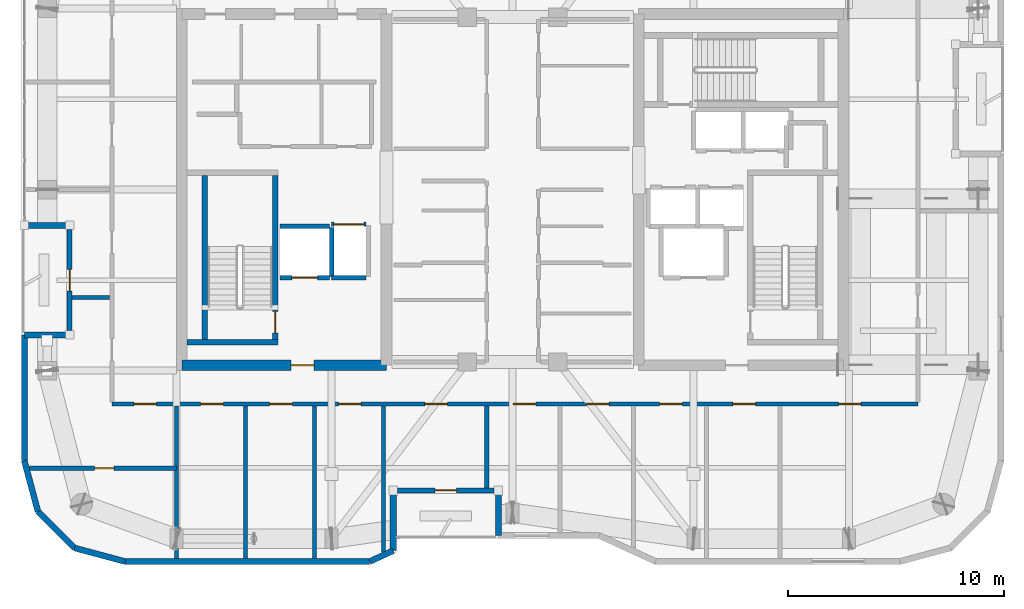
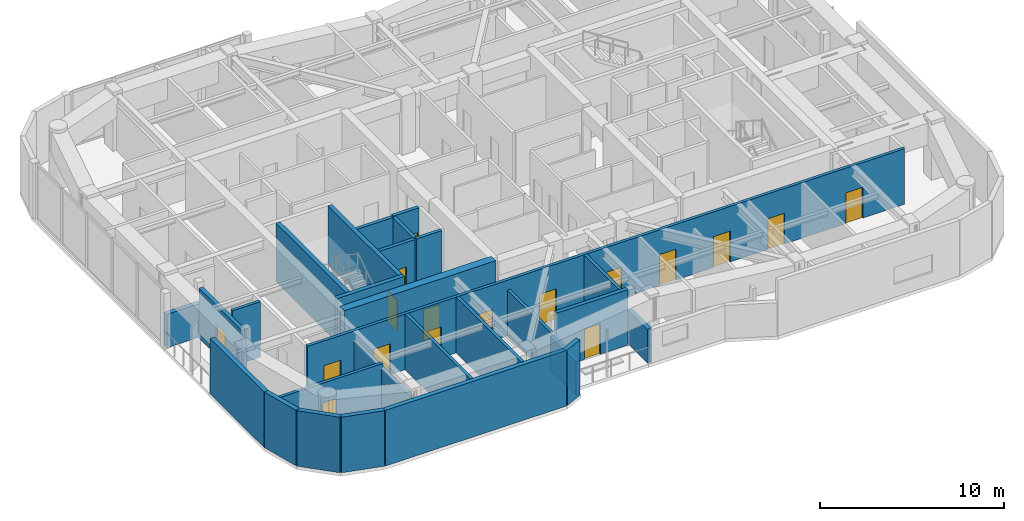
# One storey, part 10 of 16: 29 walls, 17 doors, 17 openings.
"""IFC4 building model written with IfcOpenShell, lengths in metres."""

from ifc_helpers import new_model, si_unit, direction, frame, frame_2d, origin, place, context, subcontext, project, spatial, rectangle, extrude, material, layer, layer_set, type_object, element, fill, save


model = new_model("IFC4")

# Units and contexts
model_context = context("Model", 3, precision=1e-05, world=origin(), true_north=direction((0.0, 1.0)))
body_context = subcontext(model_context, "Body", "Model", "MODEL_VIEW")
ifc_project = project(units=[si_unit("LENGTHUNIT", "METRE"), si_unit("AREAUNIT", "SQUARE_METRE"), si_unit("VOLUMEUNIT", "CUBIC_METRE"), si_unit("PLANEANGLEUNIT", "RADIAN"), si_unit("MASSUNIT", "GRAM", prefix="KILO")], contexts=[model_context])

# Site, building, storey
site_placement = place(None, origin())
site = spatial("IfcSite", under=ifc_project, at=site_placement, CompositionType="ELEMENT")
building_placement = place(site_placement, origin())
building = spatial("IfcBuilding", under=site, at=building_placement, Name="Kiyonajd Concourse Tower", CompositionType="ELEMENT")
storey_placement = place(building_placement, frame((0.0, 0.0, 346.5)))
storey = spatial("IfcBuildingStorey", under=building, at=storey_placement, Name="L87", CompositionType="ELEMENT", Elevation=346.5)

# Wall, opening, door
ifc_material_1 = material(Name="Concrete C60/75", Category="concrete")
ifc_layer_1 = layer(ifc_material_1, 0.5)
ifc_layer_set_1 = layer_set([ifc_layer_1], Name="Concrete C60/75")
wall_type_1 = type_object("IfcWallType", Name="WL-CORE-500", PredefinedType="SHEAR", material=ifc_layer_set_1)
wall_1_placement = place(storey_placement, frame((32.64990234375, 27.85009765625, 0.0), z_axis=(0.0, 0.0, 1.0), x_axis=(1.0, 0.0, 0.0)))
wall_1 = element("IfcWall", 1, at=wall_1_placement, inside=storey, type_object=wall_type_1, Name="L87 West Core South Shear Wall", PredefinedType="SHEAR", context=body_context, shape_type="SweptSolid", body=[
    extrude(rectangle(XDim=9.5, YDim=0.5, at=frame_2d((4.75, 0.0))), origin(), (0.0, 0.0, 1.0), 3.89990234375),
])
opening_1_placement = place(wall_1_placement, frame((5.074951171875, 0.0, 0.0)))
opening_1 = element("IfcOpeningElement", 2, at=opening_1_placement, cuts=wall_1, Name="Opening DF5", PredefinedType="OPENING", context=body_context, shape_type="SweptSolid", body=[
    extrude(rectangle(XDim=1.050048828125, YDim=2.0400390625, at=frame_2d((0.52490234375, 1.02001953125))), frame((0.0, 0.260009765625, 0.0), z_axis=(0.0, -1.0, 0.0), x_axis=(1.0, 0.0, 0.0)), (0.0, 0.0, 1.0), 0.52001953125),
])
ifc_material_2 = material(Name="Brushed Stainless Steel Cab Assembly", Category="steel")
door_type_1 = type_object("IfcDoorType", Name="DR-FD45-1050", OperationType="NOTDEFINED", PredefinedType="DOOR", material=ifc_material_2)
door_1_placement = place(opening_1_placement, origin())
door_1 = element("IfcDoor", 3, at=door_1_placement, inside=storey, type_object=door_type_1, Name="L87 Firefighting Lift Lobby W Smoke Door", OperationType="SINGLE_SWING_LEFT", OverallHeight=2.0400390625, OverallWidth=1.050048828125, PredefinedType="DOOR", context=body_context, shape_type="SweptSolid", body=[
    extrude(rectangle(XDim=1.050048828125, YDim=2.0400390625, at=frame_2d((0.52490234375, 1.02001953125))), frame((0.0, 0.02490234375, 0.0), z_axis=(0.0, -1.0, 0.0), x_axis=(1.0, 0.0, 0.0)), (0.0, 0.0, 1.0), 0.050048828125),
])
fill(opening_1, door_1)

# Walls
ifc_material_3 = material(Name="Precast concrete C50/60", Category="concrete")
ifc_layer_2 = layer(ifc_material_3, 0.280029296875)
ifc_layer_set_2 = layer_set([ifc_layer_2], Name="Precast concrete C50/60")
wall_type_2 = type_object("IfcWallType", Name="WL-EXT-280", PredefinedType="SOLIDWALL", material=ifc_layer_set_2)
wall_2_placement = place(storey_placement, frame((25.968505859375, 21.072509765625, 0.0), z_axis=(0.0, 0.0, 1.0), x_axis=(-0.258751159445, 0.965944013639, 0.0)))
element("IfcWall", 4, at=wall_2_placement, inside=storey, type_object=wall_type_2, Name="L87 Exterior Concrete Frame Wall 00", PredefinedType="SOLIDWALL", context=body_context, shape_type="SweptSolid", body=[
    extrude(rectangle(XDim=2.4287109375, YDim=0.280029296875, at=frame_2d((1.21435546875, 0.0))), origin(), (0.0, 0.0, 1.0), 3.679931640625),
])
wall_3_placement = place(storey_placement, frame((25.340087890625, 23.41845703125, 0.0), z_axis=(0.0, 0.0, 1.0), x_axis=(0.0, 1.0, 0.0)))
element("IfcWall", 5, at=wall_3_placement, inside=storey, type_object=wall_type_2, Name="L87 Exterior Concrete Frame Wall 01", PredefinedType="SOLIDWALL", context=body_context, shape_type="SweptSolid", body=[
    extrude(rectangle(XDim=5.841552734375, YDim=0.280029296875, at=frame_2d((2.9208984375, 0.0))), origin(), (0.0, 0.0, 1.0), 3.679931640625),
])
for number, where, z_axis, x_axis, name in (
    (6, (25.340087890625, 29.260009765625, 0.0), (0.0, 0.0, 1.0), (1.0, 0.0, 0.0), "L87 Exterior Concrete Frame Wall 02"),
    (7, (27.43994140625, 34.340087890625, 0.0), (0.0, 0.0, 1.0), (-1.0, 0.0, 0.0), "L87 Exterior Concrete Frame Wall 04"),
):
    element("IfcWall", number, at=place(storey_placement, frame(where, z_axis=z_axis, x_axis=x_axis)), inside=storey, type_object=wall_type_2, Name=name, PredefinedType="SOLIDWALL", context=body_context, shape_type="SweptSolid", body=[
        extrude(rectangle(XDim=2.099853515625, YDim=0.280029296875, at=frame_2d((1.0498046875, 0.0))), origin(), (0.0, 0.0, 1.0), 2.215087890625),
    ])
wall_4_placement = place(storey_placement, frame((47.340087890625, 19.93994140625, 0.0), z_axis=(0.0, 0.0, 1.0), x_axis=(0.0, 1.0, 0.0)))
element("IfcWall", 8, at=wall_4_placement, inside=storey, type_object=wall_type_2, Name="L87 Exterior Concrete Frame Wall 31", PredefinedType="SOLIDWALL", context=body_context, shape_type="SweptSolid", body=[
    extrude(rectangle(XDim=2.10009765625, YDim=0.280029296875, at=frame_2d((1.050048828125, 0.0))), origin(), (0.0, 0.0, 1.0), 2.215087890625),
])
wall_5_placement = place(storey_placement, frame((42.4599609375, 22.0400390625, 0.0), z_axis=(0.0, 0.0, 1.0), x_axis=(0.0, -1.0, 0.0)))
element("IfcWall", 9, at=wall_5_placement, inside=storey, type_object=wall_type_2, Name="L87 Exterior Concrete Frame Wall 33", PredefinedType="SOLIDWALL", context=body_context, shape_type="SweptSolid", body=[
    extrude(rectangle(XDim=2.79638671875, YDim=0.280029296875, at=frame_2d((1.398193359375, 0.0))), origin(), (0.0, 0.0, 1.0), 2.215087890625),
])
wall_6_placement = place(storey_placement, frame((42.4599609375, 19.24365234375, 0.0), z_axis=(0.0, 0.0, 1.0), x_axis=(-0.907893953211, -0.419199916176, 0.0)))
element("IfcWall", 10, at=wall_6_placement, inside=storey, type_object=wall_type_2, Name="L87 Exterior Concrete Frame Wall 34", PredefinedType="SOLIDWALL", context=body_context, shape_type="SweptSolid", body=[
    extrude(rectangle(XDim=1.201416015625, YDim=0.280029296875, at=frame_2d((0.6005859375, 0.0))), origin(), (0.0, 0.0, 1.0), 3.679931640625),
])
wall_7_placement = place(storey_placement, frame((41.369140625, 18.739990234375, 0.0), z_axis=(0.0, 0.0, 1.0), x_axis=(-1.0, 0.0, 0.0)))
element("IfcWall", 11, at=wall_7_placement, inside=storey, type_object=wall_type_2, Name="L87 Exterior Concrete Frame Wall 35", PredefinedType="SOLIDWALL", context=body_context, shape_type="SweptSolid", body=[
    extrude(rectangle(XDim=11.350830078125, YDim=0.280029296875, at=frame_2d((5.67529296875, 0.0))), origin(), (0.0, 0.0, 1.0), 3.679931640625),
])
wall_8_placement = place(storey_placement, frame((30.018310546875, 18.739990234375, 0.0), z_axis=(0.0, 0.0, 1.0), x_axis=(-0.965937282298, 0.25877628691, 0.0)))
element("IfcWall", 12, at=wall_8_placement, inside=storey, type_object=wall_type_2, Name="L87 Exterior Concrete Frame Wall 36", PredefinedType="SOLIDWALL", context=body_context, shape_type="SweptSolid", body=[
    extrude(rectangle(XDim=2.428466796875, YDim=0.280029296875, at=frame_2d((1.21435546875, 0.0))), origin(), (0.0, 0.0, 1.0), 3.679931640625),
])
wall_9_placement = place(storey_placement, frame((27.672607421875, 19.368408203125, 0.0), z_axis=(0.0, 0.0, 1.0), x_axis=(-0.707106781187, 0.707106781187, 0.0)))
element("IfcWall", 13, at=wall_9_placement, inside=storey, type_object=wall_type_2, Name="L87 Exterior Concrete Frame Wall 37", PredefinedType="SOLIDWALL", context=body_context, shape_type="SweptSolid", body=[
    extrude(rectangle(XDim=2.409912109375, YDim=0.280029296875, at=frame_2d((1.205078125, 0.0))), origin(), (0.0, 0.0, 1.0), 3.679931640625),
])

# Wall, opening, door
ifc_layer_3 = layer(ifc_material_3, 0.239990234375)
ifc_layer_set_3 = layer_set([ifc_layer_3], Name="Precast concrete C50/60")
wall_type_3 = type_object("IfcWallType", Name="WL-LOG-240", PredefinedType="SOLIDWALL", material=ifc_layer_set_3)
wall_10_placement = place(storey_placement, frame((27.43994140625, 29.455078125, 0.0), z_axis=(0.0, 0.0, 1.0), x_axis=(0.0, 1.0, 0.0)))
wall_10 = element("IfcWall", 14, at=wall_10_placement, inside=storey, type_object=wall_type_3, Name="L87 Recessed Loggia Thermal Wall LOG-W", PredefinedType="SOLIDWALL", context=body_context, shape_type="SweptSolid", body=[
    extrude(rectangle(XDim=4.68994140625, YDim=0.239990234375, at=frame_2d((2.344970703125, 0.0))), origin(), (0.0, 0.0, 1.0), 3.31103515625),
])
opening_2_placement = place(wall_10_placement, frame((1.844970703125, 0.0, 0.0)))
opening_2 = element("IfcOpeningElement", 15, at=opening_2_placement, cuts=wall_10, Name="Opening DL1", PredefinedType="OPENING", context=body_context, shape_type="SweptSolid", body=[
    extrude(rectangle(XDim=1.0, YDim=2.02001953125, at=frame_2d((0.5, 1.010009765625))), frame((0.0, 0.1298828125, 0.0), z_axis=(0.0, -1.0, 0.0), x_axis=(1.0, 0.0, 0.0)), (0.0, 0.0, 1.0), 0.260009765625),
])
ifc_material_4 = material(Name="Thermally Broken Anodised Aluminium", Category="aluminium")
door_type_2 = type_object("IfcDoorType", Name="DR-LOG-1000", OperationType="NOTDEFINED", PredefinedType="DOOR", material=ifc_material_4)
door_2_placement = place(opening_2_placement, origin())
door_2 = element("IfcDoor", 16, at=door_2_placement, inside=storey, type_object=door_type_2, Name="L87 Engawa Loggia Access Door LOG-W", OperationType="SINGLE_SWING_LEFT", OverallHeight=2.02001953125, OverallWidth=1.0, PredefinedType="DOOR", context=body_context, shape_type="SweptSolid", body=[
    extrude(rectangle(XDim=1.0, YDim=2.02001953125, at=frame_2d((0.5, 1.010009765625))), frame((0.0, 0.02490234375, 0.0), z_axis=(0.0, -1.0, 0.0), x_axis=(1.0, 0.0, 0.0)), (0.0, 0.0, 1.0), 0.050048828125),
])
fill(opening_2, door_2)

wall_11_placement = place(storey_placement, frame((47.14501953125, 22.0400390625, 0.0), z_axis=(0.0, 0.0, 1.0), x_axis=(-1.0, 0.0, 0.0)))
wall_11 = element("IfcWall", 17, at=wall_11_placement, inside=storey, type_object=wall_type_3, Name="L87 Recessed Loggia Thermal Wall LOG-S", PredefinedType="SOLIDWALL", context=body_context, shape_type="SweptSolid", body=[
    extrude(rectangle(XDim=4.489990234375, YDim=0.239990234375, at=frame_2d((2.2451171875, 0.0))), origin(), (0.0, 0.0, 1.0), 3.679931640625),
])
opening_3_placement = place(wall_11_placement, frame((1.7451171875, 0.0, 0.0)))
opening_3 = element("IfcOpeningElement", 18, at=opening_3_placement, cuts=wall_11, Name="Opening DL1", PredefinedType="OPENING", context=body_context, shape_type="SweptSolid", body=[
    extrude(rectangle(XDim=1.0, YDim=2.02001953125, at=frame_2d((0.5, 1.010009765625))), frame((0.0, 0.1298828125, 0.0), z_axis=(0.0, -1.0, 0.0), x_axis=(1.0, 0.0, 0.0)), (0.0, 0.0, 1.0), 0.260009765625),
])
door_3_placement = place(opening_3_placement, origin())
door_3 = element("IfcDoor", 19, at=door_3_placement, inside=storey, type_object=door_type_2, Name="L87 Engawa Loggia Access Door LOG-S", OperationType="SINGLE_SWING_RIGHT", OverallHeight=2.02001953125, OverallWidth=1.0, PredefinedType="DOOR", context=body_context, shape_type="SweptSolid", body=[
    extrude(rectangle(XDim=1.0, YDim=2.02001953125, at=frame_2d((0.5, 1.010009765625))), frame((0.0, 0.02490234375, 0.0), z_axis=(0.0, -1.0, 0.0), x_axis=(1.0, 0.0, 0.0)), (0.0, 0.0, 1.0), 0.050048828125),
])
fill(opening_3, door_3)

# Wall, openings, doors
ifc_material_5 = material(Name="Gypsum Board on Cold-Formed Steel Stud", Category="steel")
ifc_layer_4 = layer(ifc_material_5, 0.18994140625)
ifc_layer_set_4 = layer_set([ifc_layer_4], Name="Gypsum Board on Cold-Formed Steel Stud")
wall_type_4 = type_object("IfcWallType", Name="WL-PLMB-190", PredefinedType="PLUMBINGWALL", material=ifc_layer_set_4)
wall_12_placement = place(storey_placement, frame((29.39990234375, 26.050048828125, 0.0), z_axis=(0.0, 0.0, 1.0), x_axis=(1.0, 0.0, 0.0)))
wall_12 = element("IfcWall", 20, at=wall_12_placement, inside=storey, type_object=wall_type_4, Name="L87 Interior Partition Wall", PredefinedType="PLUMBINGWALL", context=body_context, shape_type="SweptSolid", body=[
    extrude(rectangle(XDim=37.400146484375, YDim=0.18994140625, at=frame_2d((18.7001953125, 0.0))), origin(), (0.0, 0.0, 1.0), 3.679931640625),
])
opening_4_placement = place(wall_12_placement, frame((1.02490234375, 0.0, 0.0)))
opening_4 = element("IfcOpeningElement", 21, at=opening_4_placement, cuts=wall_12, Name="Opening DF5", PredefinedType="OPENING", context=body_context, shape_type="SweptSolid", body=[
    extrude(rectangle(XDim=1.050048828125, YDim=2.0400390625, at=frame_2d((0.52490234375, 1.02001953125))), frame((0.0, 0.10498046875, 0.0), z_axis=(0.0, -1.0, 0.0), x_axis=(1.0, 0.0, 0.0)), (0.0, 0.0, 1.0), 0.2099609375),
])
opening_5_placement = place(wall_12_placement, frame((4.125, 0.0, 0.0)))
opening_5 = element("IfcOpeningElement", 22, at=opening_5_placement, cuts=wall_12, Name="Opening DF5", PredefinedType="OPENING", context=body_context, shape_type="SweptSolid", body=[
    extrude(rectangle(XDim=1.050048828125, YDim=2.0400390625, at=frame_2d((0.52490234375, 1.02001953125))), frame((0.0, 0.10498046875, 0.0), z_axis=(0.0, -1.0, 0.0), x_axis=(1.0, 0.0, 0.0)), (0.0, 0.0, 1.0), 0.2099609375),
])
opening_6_placement = place(wall_12_placement, frame((7.324951171875, 0.0, 0.0)))
opening_6 = element("IfcOpeningElement", 23, at=opening_6_placement, cuts=wall_12, Name="Opening DF5", PredefinedType="OPENING", context=body_context, shape_type="SweptSolid", body=[
    extrude(rectangle(XDim=1.050048828125, YDim=2.0400390625, at=frame_2d((0.52490234375, 1.02001953125))), frame((0.0, 0.10498046875, 0.0), z_axis=(0.0, -1.0, 0.0), x_axis=(1.0, 0.0, 0.0)), (0.0, 0.0, 1.0), 0.2099609375),
])
opening_7_placement = place(wall_12_placement, frame((10.52490234375, 0.0, 0.0)))
opening_7 = element("IfcOpeningElement", 24, at=opening_7_placement, cuts=wall_12, Name="Opening DF5", PredefinedType="OPENING", context=body_context, shape_type="SweptSolid", body=[
    extrude(rectangle(XDim=1.050048828125, YDim=2.0400390625, at=frame_2d((0.52490234375, 1.02001953125))), frame((0.0, 0.10498046875, 0.0), z_axis=(0.0, -1.0, 0.0), x_axis=(1.0, 0.0, 0.0)), (0.0, 0.0, 1.0), 0.2099609375),
])
opening_8_placement = place(wall_12_placement, frame((14.52490234375, 0.0, 0.0)))
opening_8 = element("IfcOpeningElement", 25, at=opening_8_placement, cuts=wall_12, Name="Opening DF5", PredefinedType="OPENING", context=body_context, shape_type="SweptSolid", body=[
    extrude(rectangle(XDim=1.050048828125, YDim=2.0400390625, at=frame_2d((0.52490234375, 1.02001953125))), frame((0.0, 0.10498046875, 0.0), z_axis=(0.0, -1.0, 0.0), x_axis=(1.0, 0.0, 0.0)), (0.0, 0.0, 1.0), 0.2099609375),
])
opening_9_placement = place(wall_12_placement, frame((18.625, 0.0, 0.0)))
opening_9 = element("IfcOpeningElement", 26, at=opening_9_placement, cuts=wall_12, Name="Opening DF5", PredefinedType="OPENING", context=body_context, shape_type="SweptSolid", body=[
    extrude(rectangle(XDim=1.050048828125, YDim=2.0400390625, at=frame_2d((0.52490234375, 1.02001953125))), frame((0.0, 0.10498046875, 0.0), z_axis=(0.0, -1.0, 0.0), x_axis=(1.0, 0.0, 0.0)), (0.0, 0.0, 1.0), 0.2099609375),
])
opening_10_placement = place(wall_12_placement, frame((22.02490234375, 0.0, 0.0)))
opening_10 = element("IfcOpeningElement", 27, at=opening_10_placement, cuts=wall_12, Name="Opening DF5", PredefinedType="OPENING", context=body_context, shape_type="SweptSolid", body=[
    extrude(rectangle(XDim=1.050048828125, YDim=2.0400390625, at=frame_2d((0.52490234375, 1.02001953125))), frame((0.0, 0.10498046875, 0.0), z_axis=(0.0, -1.0, 0.0), x_axis=(1.0, 0.0, 0.0)), (0.0, 0.0, 1.0), 0.2099609375),
])
opening_11_placement = place(wall_12_placement, frame((25.425048828125, 0.0, 0.0)))
opening_11 = element("IfcOpeningElement", 28, at=opening_11_placement, cuts=wall_12, Name="Opening DF5", PredefinedType="OPENING", context=body_context, shape_type="SweptSolid", body=[
    extrude(rectangle(XDim=1.050048828125, YDim=2.0400390625, at=frame_2d((0.52490234375, 1.02001953125))), frame((0.0, 0.10498046875, 0.0), z_axis=(0.0, -1.0, 0.0), x_axis=(1.0, 0.0, 0.0)), (0.0, 0.0, 1.0), 0.2099609375),
])
opening_12_placement = place(wall_12_placement, frame((28.824951171875, 0.0, 0.0)))
opening_12 = element("IfcOpeningElement", 29, at=opening_12_placement, cuts=wall_12, Name="Opening DF5", PredefinedType="OPENING", context=body_context, shape_type="SweptSolid", body=[
    extrude(rectangle(XDim=1.050048828125, YDim=2.0400390625, at=frame_2d((0.52490234375, 1.02001953125))), frame((0.0, 0.10498046875, 0.0), z_axis=(0.0, -1.0, 0.0), x_axis=(1.0, 0.0, 0.0)), (0.0, 0.0, 1.0), 0.2099609375),
])
opening_13_placement = place(wall_12_placement, frame((33.72509765625, 0.0, 0.0)))
opening_13 = element("IfcOpeningElement", 30, at=opening_13_placement, cuts=wall_12, Name="Opening DF5", PredefinedType="OPENING", context=body_context, shape_type="SweptSolid", body=[
    extrude(rectangle(XDim=1.050048828125, YDim=2.0400390625, at=frame_2d((0.52490234375, 1.02001953125))), frame((0.0, 0.10498046875, 0.0), z_axis=(0.0, -1.0, 0.0), x_axis=(1.0, 0.0, 0.0)), (0.0, 0.0, 1.0), 0.2099609375),
])
door_4_placement = place(opening_4_placement, origin())
door_4 = element("IfcDoor", 31, at=door_4_placement, inside=storey, type_object=door_type_1, Name="L87 Interior Door", OperationType="SINGLE_SWING_RIGHT", OverallHeight=2.0400390625, OverallWidth=1.050048828125, PredefinedType="DOOR", context=body_context, shape_type="SweptSolid", body=[
    extrude(rectangle(XDim=1.050048828125, YDim=2.0400390625, at=frame_2d((0.52490234375, 1.02001953125))), frame((0.0, 0.02490234375, 0.0), z_axis=(0.0, -1.0, 0.0), x_axis=(1.0, 0.0, 0.0)), (0.0, 0.0, 1.0), 0.050048828125),
])
fill(opening_4, door_4)
door_5_placement = place(opening_5_placement, origin())
door_5 = element("IfcDoor", 32, at=door_5_placement, inside=storey, type_object=door_type_1, Name="L87 Interior Door", OperationType="SINGLE_SWING_LEFT", OverallHeight=2.0400390625, OverallWidth=1.050048828125, PredefinedType="DOOR", context=body_context, shape_type="SweptSolid", body=[
    extrude(rectangle(XDim=1.050048828125, YDim=2.0400390625, at=frame_2d((0.52490234375, 1.02001953125))), frame((0.0, 0.02490234375, 0.0), z_axis=(0.0, -1.0, 0.0), x_axis=(1.0, 0.0, 0.0)), (0.0, 0.0, 1.0), 0.050048828125),
])
fill(opening_5, door_5)
door_6_placement = place(opening_6_placement, origin())
door_6 = element("IfcDoor", 33, at=door_6_placement, inside=storey, type_object=door_type_1, Name="L87 Interior Door", OperationType="SINGLE_SWING_RIGHT", OverallHeight=2.0400390625, OverallWidth=1.050048828125, PredefinedType="DOOR", context=body_context, shape_type="SweptSolid", body=[
    extrude(rectangle(XDim=1.050048828125, YDim=2.0400390625, at=frame_2d((0.52490234375, 1.02001953125))), frame((0.0, 0.02490234375, 0.0), z_axis=(0.0, -1.0, 0.0), x_axis=(1.0, 0.0, 0.0)), (0.0, 0.0, 1.0), 0.050048828125),
])
fill(opening_6, door_6)
door_7_placement = place(opening_7_placement, origin())
door_7 = element("IfcDoor", 34, at=door_7_placement, inside=storey, type_object=door_type_1, Name="L87 Interior Door", OperationType="SINGLE_SWING_LEFT", OverallHeight=2.0400390625, OverallWidth=1.050048828125, PredefinedType="DOOR", context=body_context, shape_type="SweptSolid", body=[
    extrude(rectangle(XDim=1.050048828125, YDim=2.0400390625, at=frame_2d((0.52490234375, 1.02001953125))), frame((0.0, 0.02490234375, 0.0), z_axis=(0.0, -1.0, 0.0), x_axis=(1.0, 0.0, 0.0)), (0.0, 0.0, 1.0), 0.050048828125),
])
fill(opening_7, door_7)
door_8_placement = place(opening_8_placement, origin())
door_8 = element("IfcDoor", 35, at=door_8_placement, inside=storey, type_object=door_type_1, Name="L87 Interior Door", OperationType="SINGLE_SWING_RIGHT", OverallHeight=2.0400390625, OverallWidth=1.050048828125, PredefinedType="DOOR", context=body_context, shape_type="SweptSolid", body=[
    extrude(rectangle(XDim=1.050048828125, YDim=2.0400390625, at=frame_2d((0.52490234375, 1.02001953125))), frame((0.0, 0.02490234375, 0.0), z_axis=(0.0, -1.0, 0.0), x_axis=(1.0, 0.0, 0.0)), (0.0, 0.0, 1.0), 0.050048828125),
])
fill(opening_8, door_8)
door_9_placement = place(opening_9_placement, origin())
door_9 = element("IfcDoor", 36, at=door_9_placement, inside=storey, type_object=door_type_1, Name="L87 Interior Door", OperationType="SINGLE_SWING_LEFT", OverallHeight=2.0400390625, OverallWidth=1.050048828125, PredefinedType="DOOR", context=body_context, shape_type="SweptSolid", body=[
    extrude(rectangle(XDim=1.050048828125, YDim=2.0400390625, at=frame_2d((0.52490234375, 1.02001953125))), frame((0.0, 0.02490234375, 0.0), z_axis=(0.0, -1.0, 0.0), x_axis=(1.0, 0.0, 0.0)), (0.0, 0.0, 1.0), 0.050048828125),
])
fill(opening_9, door_9)
door_10_placement = place(opening_10_placement, origin())
door_10 = element("IfcDoor", 37, at=door_10_placement, inside=storey, type_object=door_type_1, Name="L87 Interior Door", OperationType="SINGLE_SWING_RIGHT", OverallHeight=2.0400390625, OverallWidth=1.050048828125, PredefinedType="DOOR", context=body_context, shape_type="SweptSolid", body=[
    extrude(rectangle(XDim=1.050048828125, YDim=2.0400390625, at=frame_2d((0.52490234375, 1.02001953125))), frame((0.0, 0.02490234375, 0.0), z_axis=(0.0, -1.0, 0.0), x_axis=(1.0, 0.0, 0.0)), (0.0, 0.0, 1.0), 0.050048828125),
])
fill(opening_10, door_10)
door_11_placement = place(opening_11_placement, origin())
door_11 = element("IfcDoor", 38, at=door_11_placement, inside=storey, type_object=door_type_1, Name="L87 Interior Door", OperationType="SINGLE_SWING_LEFT", OverallHeight=2.0400390625, OverallWidth=1.050048828125, PredefinedType="DOOR", context=body_context, shape_type="SweptSolid", body=[
    extrude(rectangle(XDim=1.050048828125, YDim=2.0400390625, at=frame_2d((0.52490234375, 1.02001953125))), frame((0.0, 0.02490234375, 0.0), z_axis=(0.0, -1.0, 0.0), x_axis=(1.0, 0.0, 0.0)), (0.0, 0.0, 1.0), 0.050048828125),
])
fill(opening_11, door_11)
door_12_placement = place(opening_12_placement, origin())
door_12 = element("IfcDoor", 39, at=door_12_placement, inside=storey, type_object=door_type_1, Name="L87 Interior Door", OperationType="SINGLE_SWING_RIGHT", OverallHeight=2.0400390625, OverallWidth=1.050048828125, PredefinedType="DOOR", context=body_context, shape_type="SweptSolid", body=[
    extrude(rectangle(XDim=1.050048828125, YDim=2.0400390625, at=frame_2d((0.52490234375, 1.02001953125))), frame((0.0, 0.02490234375, 0.0), z_axis=(0.0, -1.0, 0.0), x_axis=(1.0, 0.0, 0.0)), (0.0, 0.0, 1.0), 0.050048828125),
])
fill(opening_12, door_12)
door_13_placement = place(opening_13_placement, origin())
door_13 = element("IfcDoor", 40, at=door_13_placement, inside=storey, type_object=door_type_1, Name="L87 Interior Door", OperationType="SINGLE_SWING_LEFT", OverallHeight=2.0400390625, OverallWidth=1.050048828125, PredefinedType="DOOR", context=body_context, shape_type="SweptSolid", body=[
    extrude(rectangle(XDim=1.050048828125, YDim=2.0400390625, at=frame_2d((0.52490234375, 1.02001953125))), frame((0.0, 0.02490234375, 0.0), z_axis=(0.0, -1.0, 0.0), x_axis=(1.0, 0.0, 0.0)), (0.0, 0.0, 1.0), 0.050048828125),
])
fill(opening_13, door_13)

# Wall, opening, door
wall_13_placement = place(storey_placement, frame((25.574951171875, 23.070068359375, 0.0), z_axis=(0.0, 0.0, 1.0), x_axis=(1.0, 0.0, 0.0)))
wall_13 = element("IfcWall", 41, at=wall_13_placement, inside=storey, type_object=wall_type_4, Name="L87 Interior Partition Wall", PredefinedType="PLUMBINGWALL", context=body_context, shape_type="SweptSolid", body=[
    extrude(rectangle(XDim=6.824951171875, YDim=0.18994140625, at=frame_2d((3.41259765625, 0.0))), origin(), (0.0, 0.0, 1.0), 3.31103515625),
])
opening_14_placement = place(wall_13_placement, frame((3.02490234375, 0.0, 0.0)))
opening_14 = element("IfcOpeningElement", 42, at=opening_14_placement, cuts=wall_13, Name="Opening DI2", PredefinedType="OPENING", context=body_context, shape_type="SweptSolid", body=[
    extrude(rectangle(XDim=0.89990234375, YDim=2.02001953125, at=frame_2d((0.449951171875, 1.010009765625))), frame((0.0, 0.10498046875, 0.0), z_axis=(0.0, -1.0, 0.0), x_axis=(1.0, 0.0, 0.0)), (0.0, 0.0, 1.0), 0.2099609375),
])
ifc_material_6 = material(Name="Natural Oak Acoustic Timber Veneer", Category="wood")
door_type_3 = type_object("IfcDoorType", Name="DR-INT-900", OperationType="NOTDEFINED", PredefinedType="DOOR", material=ifc_material_6)
door_14_placement = place(opening_14_placement, origin())
door_14 = element("IfcDoor", 43, at=door_14_placement, inside=storey, type_object=door_type_3, Name="L87 Interior Door", OperationType="SINGLE_SWING_LEFT", OverallHeight=2.02001953125, OverallWidth=0.89990234375, PredefinedType="DOOR", context=body_context, shape_type="SweptSolid", body=[
    extrude(rectangle(XDim=0.89990234375, YDim=2.02001953125, at=frame_2d((0.449951171875, 1.010009765625))), frame((0.0, 0.02490234375, 0.0), z_axis=(0.0, -1.0, 0.0), x_axis=(1.0, 0.0, 0.0)), (0.0, 0.0, 1.0), 0.050048828125),
])
fill(opening_14, door_14)

# Walls
wall_14_placement = place(storey_placement, frame((32.39990234375, 18.875, 0.0), z_axis=(0.0, 0.0, 1.0), x_axis=(0.0, 1.0, 0.0)))
element("IfcWall", 44, at=wall_14_placement, inside=storey, type_object=wall_type_4, Name="L87 Interior Partition Wall", PredefinedType="PLUMBINGWALL", context=body_context, shape_type="SweptSolid", body=[
    extrude(rectangle(XDim=7.077880859375, YDim=0.18994140625, at=frame_2d((3.5390625, 0.0))), origin(), (0.0, 0.0, 1.0), 3.053955078125),
])
for number, where, z_axis, x_axis, name in (
    (45, (35.60009765625, 18.875, 0.0), (0.0, 0.0, 1.0), (0.0, 1.0, 0.0), "L87 Interior Partition Wall"),
    (46, (38.800048828125, 18.875, 0.0), (0.0, 0.0, 1.0), (0.0, 1.0, 0.0), "L87 Interior Partition Wall"),
):
    element("IfcWall", number, at=place(storey_placement, frame(where, z_axis=z_axis, x_axis=x_axis)), inside=storey, type_object=wall_type_4, Name=name, PredefinedType="PLUMBINGWALL", context=body_context, shape_type="SweptSolid", body=[
        extrude(rectangle(XDim=7.077880859375, YDim=0.18994140625, at=frame_2d((3.5390625, 0.0))), origin(), (0.0, 0.0, 1.0), 3.679931640625),
    ])
wall_15_placement = place(storey_placement, frame((42.0, 19.18310546875, 0.0), z_axis=(0.0, 0.0, 1.0), x_axis=(0.0, 1.0, 0.0)))
element("IfcWall", 47, at=wall_15_placement, inside=storey, type_object=wall_type_4, Name="L87 Interior Partition Wall", PredefinedType="PLUMBINGWALL", context=body_context, shape_type="SweptSolid", body=[
    extrude(rectangle(XDim=6.769775390625, YDim=0.18994140625, at=frame_2d((3.384765625, 0.0))), origin(), (0.0, 0.0, 1.0), 3.04296875),
])
wall_16_placement = place(storey_placement, frame((46.800048828125, 22.155029296875, 0.0), z_axis=(0.0, 0.0, 1.0), x_axis=(0.0, 1.0, 0.0)))
element("IfcWall", 48, at=wall_16_placement, inside=storey, type_object=wall_type_4, Name="L87 Interior Partition Wall", PredefinedType="PLUMBINGWALL", context=body_context, shape_type="SweptSolid", body=[
    extrude(rectangle(XDim=3.7978515625, YDim=0.18994140625, at=frame_2d((1.89892578125, 0.0))), origin(), (0.0, 0.0, 1.0), 3.679931640625),
])
wall_17_placement = place(storey_placement, frame((27.554931640625, 31.0, 0.0), z_axis=(0.0, 0.0, 1.0), x_axis=(1.0, 0.0, 0.0)))
element("IfcWall", 49, at=wall_17_placement, inside=storey, type_object=wall_type_4, Name="L87 Interior Partition Wall", PredefinedType="PLUMBINGWALL", context=body_context, shape_type="SweptSolid", body=[
    extrude(rectangle(XDim=1.748046875, YDim=0.18994140625, at=frame_2d((0.8740234375, 0.0))), origin(), (0.0, 0.0, 1.0), 3.679931640625),
])

# Wall, opening, door
ifc_layer_5 = layer(ifc_material_5, 0.2099609375)
ifc_layer_set_5 = layer_set([ifc_layer_5], Name="Gypsum Board on Cold-Formed Steel Stud")
wall_type_5 = type_object("IfcWallType", Name="WL-SHAFT-210", PredefinedType="PARTITIONING", material=ifc_layer_set_5)
wall_18_placement = place(storey_placement, frame((37.199951171875, 31.89990234375, 0.0), z_axis=(0.0, 0.0, 1.0), x_axis=(1.0, 0.0, 0.0)))
wall_18 = element("IfcWall", 50, at=wall_18_placement, inside=storey, type_object=wall_type_5, Name="L87 Shaft Enclosure Wall", PredefinedType="PARTITIONING", context=body_context, shape_type="SweptSolid", body=[
    extrude(rectangle(XDim=2.300048828125, YDim=0.2099609375, at=frame_2d((1.14990234375, 0.0))), origin(), (0.0, 0.0, 1.0), 3.679931640625),
])
opening_15_placement = place(wall_18_placement, frame((0.550048828125, 0.0, 0.0)))
opening_15 = element("IfcOpeningElement", 51, at=opening_15_placement, cuts=wall_18, Name="Opening LD2", PredefinedType="OPENING", context=body_context, shape_type="SweptSolid", body=[
    extrude(rectangle(XDim=1.199951171875, YDim=2.0400390625, at=frame_2d((0.60009765625, 1.02001953125))), frame((0.0, 0.114990234375, 0.0), z_axis=(0.0, -1.0, 0.0), x_axis=(1.0, 0.0, 0.0)), (0.0, 0.0, 1.0), 0.22998046875),
])
door_type_4 = type_object("IfcDoorType", Name="DR-LD-1200", OperationType="DOUBLE_DOOR_SLIDING", PredefinedType="DOOR", material=ifc_material_2)
door_15_placement = place(opening_15_placement, origin())
door_15 = element("IfcDoor", 52, at=door_15_placement, inside=storey, type_object=door_type_4, Name="L87 Lift FFL1 Sliding Landing Door", OperationType="DOUBLE_DOOR_SLIDING", OverallHeight=2.0400390625, OverallWidth=1.199951171875, PredefinedType="DOOR", context=body_context, shape_type="SweptSolid", body=[
    extrude(rectangle(XDim=1.199951171875, YDim=2.0400390625, at=frame_2d((0.60009765625, 1.02001953125))), frame((0.0, 0.02490234375, 0.0), z_axis=(0.0, -1.0, 0.0), x_axis=(1.0, 0.0, 0.0)), (0.0, 0.0, 1.0), 0.050048828125),
])
fill(opening_15, door_15)

# Walls
wall_19_placement = place(storey_placement, frame((37.199951171875, 34.300048828125, 0.0), z_axis=(0.0, 0.0, 1.0), x_axis=(1.0, 0.0, 0.0)))
element("IfcWall", 53, at=wall_19_placement, inside=storey, type_object=wall_type_5, Name="L87 Shaft Enclosure Wall", PredefinedType="PARTITIONING", context=body_context, shape_type="SweptSolid", body=[
    extrude(rectangle(XDim=2.300048828125, YDim=0.2099609375, at=frame_2d((1.14990234375, 0.0))), origin(), (0.0, 0.0, 1.0), 3.679931640625),
])
wall_20_placement = place(storey_placement, frame((39.60009765625, 31.9599609375, 0.0), z_axis=(0.0, 0.0, 1.0), x_axis=(0.0, 1.0, 0.0)))
element("IfcWall", 54, at=wall_20_placement, inside=storey, type_object=wall_type_5, Name="L87 Shaft Enclosure Wall", PredefinedType="PARTITIONING", context=body_context, shape_type="SweptSolid", body=[
    extrude(rectangle(XDim=2.280029296875, YDim=0.2099609375, at=frame_2d((1.14013671875, 0.0))), origin(), (0.0, 0.0, 1.0), 3.679931640625),
])

# Wall, opening, door
wall_21_placement = place(storey_placement, frame((39.60009765625, 34.39990234375, 0.0), z_axis=(0.0, 0.0, 1.0), x_axis=(1.0, 0.0, 0.0)))
wall_21 = element("IfcWall", 55, at=wall_21_placement, inside=storey, type_object=wall_type_5, Name="L87 Shaft Enclosure Wall", PredefinedType="PARTITIONING", context=body_context, shape_type="SweptSolid", body=[
    extrude(rectangle(XDim=1.599853515625, YDim=0.2099609375, at=frame_2d((0.7998046875, 0.0))), origin(), (0.0, 0.0, 1.0), 3.679931640625),
])
opening_16_placement = place(wall_21_placement, frame((0.10009765625, 0.0, 0.0)))
opening_16 = element("IfcOpeningElement", 56, at=opening_16_placement, cuts=wall_21, Name="Opening LD3", PredefinedType="OPENING", context=body_context, shape_type="SweptSolid", body=[
    extrude(rectangle(XDim=1.39990234375, YDim=2.06005859375, at=frame_2d((0.699951171875, 1.030029296875))), frame((0.0, 0.114990234375, 0.0), z_axis=(0.0, -1.0, 0.0), x_axis=(1.0, 0.0, 0.0)), (0.0, 0.0, 1.0), 0.22998046875),
])
door_type_5 = type_object("IfcDoorType", Name="DR-LD-1400", OperationType="DOUBLE_DOOR_SLIDING", PredefinedType="DOOR", material=ifc_material_2)
door_16_placement = place(opening_16_placement, origin())
door_16 = element("IfcDoor", 57, at=door_16_placement, inside=storey, type_object=door_type_5, Name="L87 Lift SVL1 Sliding Landing Door", OperationType="DOUBLE_DOOR_SLIDING", OverallHeight=2.06005859375, OverallWidth=1.39990234375, PredefinedType="DOOR", context=body_context, shape_type="SweptSolid", body=[
    extrude(rectangle(XDim=1.39990234375, YDim=2.06005859375, at=frame_2d((0.699951171875, 1.030029296875))), frame((0.0, 0.02490234375, 0.0), z_axis=(0.0, -1.0, 0.0), x_axis=(1.0, 0.0, 0.0)), (0.0, 0.0, 1.0), 0.050048828125),
])
fill(opening_16, door_16)

# Walls
wall_22_placement = place(storey_placement, frame((39.60009765625, 31.89990234375, 0.0), z_axis=(0.0, 0.0, 1.0), x_axis=(1.0, 0.0, 0.0)))
element("IfcWall", 58, at=wall_22_placement, inside=storey, type_object=wall_type_5, Name="L87 Shaft Enclosure Wall", PredefinedType="PARTITIONING", context=body_context, shape_type="SweptSolid", body=[
    extrude(rectangle(XDim=1.599853515625, YDim=0.2099609375, at=frame_2d((0.7998046875, 0.0))), origin(), (0.0, 0.0, 1.0), 3.679931640625),
])
ifc_material_7 = material(Name="Concrete C50/60", Category="concrete")
ifc_layer_6 = layer(ifc_material_7, 0.260009765625)
ifc_layer_set_6 = layer_set([ifc_layer_6], Name="Concrete C50/60")
wall_type_6 = type_object("IfcWallType", Name="WL-STAIR-260", PredefinedType="SHEAR", material=ifc_layer_set_6)
wall_23_placement = place(storey_placement, frame((32.89990234375, 28.919921875, 0.0), z_axis=(0.0, 0.0, 1.0), x_axis=(1.0, 0.0, 0.0)))
element("IfcWall", 59, at=wall_23_placement, inside=storey, type_object=wall_type_6, Name="L87 Stair ST1 Structural South Wall", PredefinedType="SHEAR", context=body_context, shape_type="SweptSolid", body=[
    extrude(rectangle(XDim=4.210205078125, YDim=0.260009765625, at=frame_2d((2.10498046875, 0.0))), origin(), (0.0, 0.0, 1.0), 3.89990234375),
])
wall_24_placement = place(storey_placement, frame((33.719970703125, 29.050048828125, 0.0), z_axis=(0.0, 0.0, 1.0), x_axis=(0.0, 1.0, 0.0)))
element("IfcWall", 60, at=wall_24_placement, inside=storey, type_object=wall_type_6, Name="L87 Stair ST1 Structural West Wall", PredefinedType="SHEAR", context=body_context, shape_type="SweptSolid", body=[
    extrude(rectangle(XDim=7.599853515625, YDim=0.260009765625, at=frame_2d((3.7998046875, 0.0))), origin(), (0.0, 0.0, 1.0), 3.89990234375),
])

# Wall, opening, door
wall_25_placement = place(storey_placement, frame((36.97998046875, 29.050048828125, 0.0), z_axis=(0.0, 0.0, 1.0), x_axis=(0.0, 1.0, 0.0)))
wall_25 = element("IfcWall", 61, at=wall_25_placement, inside=storey, type_object=wall_type_6, Name="L87 Stair ST1 Structural East Wall", PredefinedType="SHEAR", context=body_context, shape_type="SweptSolid", body=[
    extrude(rectangle(XDim=7.599853515625, YDim=0.260009765625, at=frame_2d((3.7998046875, 0.0))), origin(), (0.0, 0.0, 1.0), 3.89990234375),
])
opening_17_placement = place(wall_25_placement, frame((0.300048828125, 0.0, 0.0)))
opening_17 = element("IfcOpeningElement", 62, at=opening_17_placement, cuts=wall_25, Name="Opening DF1", PredefinedType="OPENING", context=body_context, shape_type="SweptSolid", body=[
    extrude(rectangle(XDim=1.0, YDim=2.0400390625, at=frame_2d((0.5, 1.02001953125))), frame((0.0, 0.139892578125, 0.0), z_axis=(0.0, -1.0, 0.0), x_axis=(1.0, 0.0, 0.0)), (0.0, 0.0, 1.0), 0.280029296875),
])
door_type_6 = type_object("IfcDoorType", Name="DR-FD90-1000", OperationType="NOTDEFINED", PredefinedType="DOOR", material=ifc_material_2)
door_17_placement = place(opening_17_placement, origin())
door_17 = element("IfcDoor", 63, at=door_17_placement, inside=storey, type_object=door_type_6, Name="L87 Stair ST1 FSAE Door", OperationType="SINGLE_SWING_LEFT", OverallHeight=2.0400390625, OverallWidth=1.0, PredefinedType="DOOR", context=body_context, shape_type="SweptSolid", body=[
    extrude(rectangle(XDim=1.0, YDim=2.0400390625, at=frame_2d((0.5, 1.02001953125))), frame((0.0, 0.02490234375, 0.0), z_axis=(0.0, -1.0, 0.0), x_axis=(1.0, 0.0, 0.0)), (0.0, 0.0, 1.0), 0.050048828125),
])
fill(opening_17, door_17)

save(model, "model.ifc")
